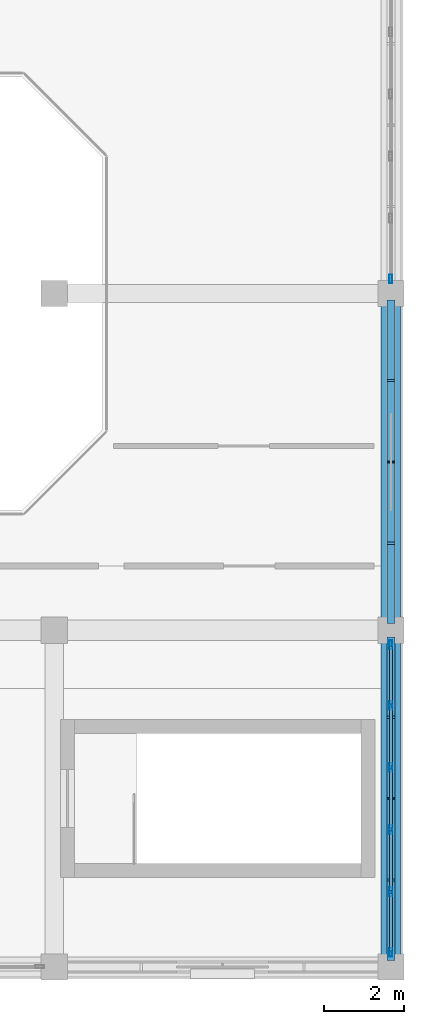
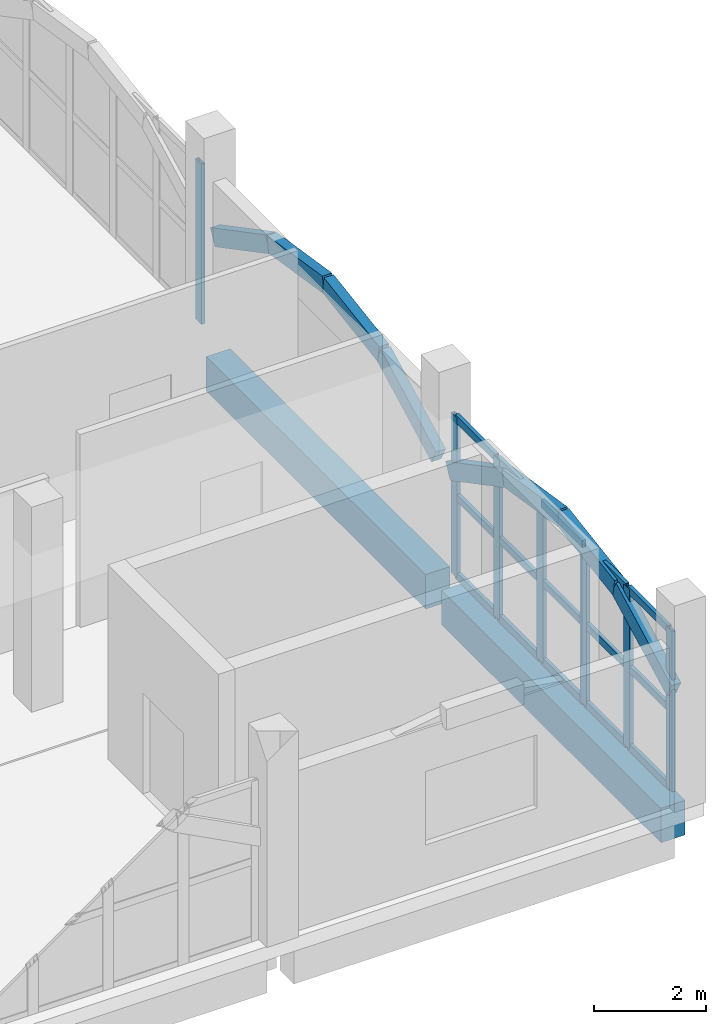
# One storey, part 9 of 16: 30 members, 2 beams, 2 elements without a shape of their own.
"""IFC4 building model written with IfcOpenShell, lengths in metres."""

from ifc_helpers import new_model, si_unit, direction, frame, origin, origin_2d, place, context, subcontext, project, spatial, rectangle, hollow_rectangle, extrude, material, layer, layer_set, material_profile, profile_set, type_object, element, aggregate, save


model = new_model("IFC4")

# Units and contexts
model_context = context("Model", 3, precision=1e-05, world=origin(), true_north=direction((0.0, 1.0)))
body_context = subcontext(model_context, "Body", "Model", "MODEL_VIEW")
ifc_project = project(units=[si_unit("LENGTHUNIT", "METRE"), si_unit("AREAUNIT", "SQUARE_METRE"), si_unit("VOLUMEUNIT", "CUBIC_METRE"), si_unit("PLANEANGLEUNIT", "RADIAN"), si_unit("MASSUNIT", "GRAM", prefix="KILO")], contexts=[model_context])

# Site, building, storey
site_placement = place(None, origin())
site = spatial("IfcSite", under=ifc_project, at=site_placement, CompositionType="ELEMENT")
building_placement = place(site_placement, origin())
building = spatial("IfcBuilding", under=site, at=building_placement, Name="Xazarin Passage Department Store", CompositionType="ELEMENT")
storey_placement = place(building_placement, frame((0.0, 0.0, 32.39990234375)))
storey = spatial("IfcBuildingStorey", under=building, at=storey_placement, Name="L07", CompositionType="ELEMENT", Elevation=32.39990234375)

# Curtain wall, members
ifc_material_1 = material(Name="Bronze anodised aluminium", Category="aluminium")
ifc_layer = layer(ifc_material_1, 0.199951171875)
ifc_layer_set = layer_set([ifc_layer], Name="Bronze anodised aluminium")
curtain_wall_type = type_object("IfcCurtainWallType", Name="ARC-CW-VIT2", PredefinedType="NOTDEFINED", material=ifc_layer_set)
curtain_wall_1_placement = place(storey_placement, origin())
curtain_wall_1 = element("IfcCurtainWall", 1, at=curtain_wall_1_placement, inside=storey, type_object=curtain_wall_type, Name="L07 V1 Curtain Wall 097", PredefinedType="NOTDEFINED")
ifc_material_profile_1 = material_profile(ifc_material_1, hollow_rectangle(XDim=0.074951171875, YDim=0.219970703125, WallThickness=0.0048828125, at=origin_2d()), Name="ALU 75x220")
ifc_profile_set_1 = profile_set([ifc_material_profile_1], Name="Bronze anodised aluminium")
member_type_1 = type_object("IfcMemberType", Name="ARC-CWM-75x220", PredefinedType="MULLION", material=ifc_profile_set_1)
member_1_placement = place(storey_placement, frame((33.60009765625, 76.762451171875, 0.0), z_axis=(0.0, 0.0, 1.0), x_axis=(-1.0, 0.0, 0.0)))
member_1 = element("IfcMember", 2, at=member_1_placement, type_object=member_type_1, Name="CW2 mullion 1", PredefinedType="MULLION", context=body_context, shape_type="SweptSolid", body=[
    extrude(hollow_rectangle(XDim=0.074951171875, YDim=0.219970703125, WallThickness=0.0048828125, at=origin_2d()), origin(), (0.0, 0.0, 1.0), 3.489990234375),
])
member_2_placement = place(storey_placement, frame((33.60009765625, 78.27490234375, 0.0), z_axis=(0.0, 0.0, 1.0), x_axis=(-1.0, 0.0, 0.0)))
member_2 = element("IfcMember", 3, at=member_2_placement, type_object=member_type_1, Name="CW2 mullion 2", PredefinedType="MULLION", context=body_context, shape_type="SweptSolid", body=[
    extrude(hollow_rectangle(XDim=0.074951171875, YDim=0.219970703125, WallThickness=0.0048828125, at=origin_2d()), origin(), (0.0, 0.0, 1.0), 3.489990234375),
])
member_3_placement = place(storey_placement, frame((33.60009765625, 79.824951171875, 0.0), z_axis=(0.0, 0.0, 1.0), x_axis=(-1.0, 0.0, 0.0)))
member_3 = element("IfcMember", 4, at=member_3_placement, type_object=member_type_1, Name="CW2 mullion 3", PredefinedType="MULLION", context=body_context, shape_type="SweptSolid", body=[
    extrude(hollow_rectangle(XDim=0.074951171875, YDim=0.219970703125, WallThickness=0.0048828125, at=origin_2d()), origin(), (0.0, 0.0, 1.0), 3.489990234375),
])
member_4_placement = place(storey_placement, frame((33.60009765625, 81.375, 0.0), z_axis=(0.0, 0.0, 1.0), x_axis=(-1.0, 0.0, 0.0)))
member_4 = element("IfcMember", 5, at=member_4_placement, type_object=member_type_1, Name="CW2 mullion 4", PredefinedType="MULLION", context=body_context, shape_type="SweptSolid", body=[
    extrude(hollow_rectangle(XDim=0.074951171875, YDim=0.219970703125, WallThickness=0.0048828125, at=origin_2d()), origin(), (0.0, 0.0, 1.0), 3.489990234375),
])
member_5_placement = place(storey_placement, frame((33.60009765625, 82.925048828125, 0.0), z_axis=(0.0, 0.0, 1.0), x_axis=(-1.0, 0.0, 0.0)))
member_5 = element("IfcMember", 6, at=member_5_placement, type_object=member_type_1, Name="CW2 mullion 5", PredefinedType="MULLION", context=body_context, shape_type="SweptSolid", body=[
    extrude(hollow_rectangle(XDim=0.074951171875, YDim=0.219970703125, WallThickness=0.0048828125, at=origin_2d()), origin(), (0.0, 0.0, 1.0), 3.489990234375),
])
member_6_placement = place(storey_placement, frame((33.60009765625, 84.4375, 0.0), z_axis=(0.0, 0.0, 1.0), x_axis=(-1.0, 0.0, 0.0)))
member_6 = element("IfcMember", 7, at=member_6_placement, type_object=member_type_1, Name="CW2 mullion 6", PredefinedType="MULLION", context=body_context, shape_type="SweptSolid", body=[
    extrude(hollow_rectangle(XDim=0.074951171875, YDim=0.219970703125, WallThickness=0.0048828125, at=origin_2d()), origin(), (0.0, 0.0, 1.0), 3.489990234375),
])

# Curtain wall, member
curtain_wall_2_placement = place(storey_placement, origin())
curtain_wall_2 = element("IfcCurtainWall", 8, at=curtain_wall_2_placement, inside=storey, type_object=curtain_wall_type, Name="L07 V1 Curtain Wall 098", PredefinedType="NOTDEFINED")
member_7_placement = place(storey_placement, frame((33.60009765625, 93.5625, 0.0), z_axis=(0.0, 0.0, 1.0), x_axis=(-1.0, 0.0, 0.0)))
member_7 = element("IfcMember", 9, at=member_7_placement, type_object=member_type_1, Name="CW2 mullion 1", PredefinedType="MULLION", context=body_context, shape_type="SweptSolid", body=[
    extrude(hollow_rectangle(XDim=0.074951171875, YDim=0.219970703125, WallThickness=0.0048828125, at=origin_2d()), origin(), (0.0, 0.0, 1.0), 3.489990234375),
])
aggregate(curtain_wall_2, [member_7])

# Member
ifc_material_profile_2 = material_profile(ifc_material_1, hollow_rectangle(XDim=0.074951171875, YDim=0.159912109375, WallThickness=0.00439453125, at=origin_2d()), Name="ALU 75x160")
ifc_profile_set_2 = profile_set([ifc_material_profile_2], Name="Bronze anodised aluminium")
member_type_2 = type_object("IfcMemberType", Name="ARC-CWT-75x160", PredefinedType="USERDEFINED", material=ifc_profile_set_2)
member_8_placement = place(storey_placement, frame((33.60009765625, 76.800048828125, 0.03759765625), z_axis=(0.0, 1.0, 0.0), x_axis=(-1.0, 0.0, 0.0)))
member_8 = element("IfcMember", 10, at=member_8_placement, type_object=member_type_2, Name="CW2 transom 1.1", ObjectType="TRANSOM", PredefinedType="USERDEFINED", context=body_context, shape_type="SweptSolid", body=[
    extrude(hollow_rectangle(XDim=0.074951171875, YDim=0.159912109375, WallThickness=0.00439453125, at=origin_2d()), origin(), (0.0, 0.0, 1.0), 1.4375),
])

member_9_placement = place(storey_placement, frame((33.60009765625, 76.800048828125, 1.7451171875), z_axis=(0.0, 1.0, 0.0), x_axis=(-1.0, 0.0, 0.0)))
member_9 = element("IfcMember", 11, at=member_9_placement, type_object=member_type_2, Name="CW2 transom 1.2", ObjectType="TRANSOM", PredefinedType="USERDEFINED", context=body_context, shape_type="SweptSolid", body=[
    extrude(hollow_rectangle(XDim=0.074951171875, YDim=0.159912109375, WallThickness=0.00439453125, at=origin_2d()), origin(), (0.0, 0.0, 1.0), 1.4375),
])

member_10_placement = place(storey_placement, frame((33.60009765625, 76.800048828125, 3.45263671875), z_axis=(0.0, 1.0, 0.0), x_axis=(-1.0, 0.0, 0.0)))
member_10 = element("IfcMember", 12, at=member_10_placement, type_object=member_type_2, Name="CW2 transom 1.3", ObjectType="TRANSOM", PredefinedType="USERDEFINED", context=body_context, shape_type="SweptSolid", body=[
    extrude(hollow_rectangle(XDim=0.074951171875, YDim=0.159912109375, WallThickness=0.00439453125, at=origin_2d()), origin(), (0.0, 0.0, 1.0), 1.4375),
])

member_11_placement = place(storey_placement, frame((33.60009765625, 78.3125, 0.03759765625), z_axis=(0.0, 1.0, 0.0), x_axis=(-1.0, 0.0, 0.0)))
member_11 = element("IfcMember", 13, at=member_11_placement, type_object=member_type_2, Name="CW2 transom 2.1", ObjectType="TRANSOM", PredefinedType="USERDEFINED", context=body_context, shape_type="SweptSolid", body=[
    extrude(hollow_rectangle(XDim=0.074951171875, YDim=0.159912109375, WallThickness=0.00439453125, at=origin_2d()), origin(), (0.0, 0.0, 1.0), 1.47509765625),
])

member_12_placement = place(storey_placement, frame((33.60009765625, 78.3125, 1.7451171875), z_axis=(0.0, 1.0, 0.0), x_axis=(-1.0, 0.0, 0.0)))
member_12 = element("IfcMember", 14, at=member_12_placement, type_object=member_type_2, Name="CW2 transom 2.2", ObjectType="TRANSOM", PredefinedType="USERDEFINED", context=body_context, shape_type="SweptSolid", body=[
    extrude(hollow_rectangle(XDim=0.074951171875, YDim=0.159912109375, WallThickness=0.00439453125, at=origin_2d()), origin(), (0.0, 0.0, 1.0), 1.47509765625),
])

member_13_placement = place(storey_placement, frame((33.60009765625, 78.3125, 3.45263671875), z_axis=(0.0, 1.0, 0.0), x_axis=(-1.0, 0.0, 0.0)))
member_13 = element("IfcMember", 15, at=member_13_placement, type_object=member_type_2, Name="CW2 transom 2.3", ObjectType="TRANSOM", PredefinedType="USERDEFINED", context=body_context, shape_type="SweptSolid", body=[
    extrude(hollow_rectangle(XDim=0.074951171875, YDim=0.159912109375, WallThickness=0.00439453125, at=origin_2d()), origin(), (0.0, 0.0, 1.0), 1.47509765625),
])

member_14_placement = place(storey_placement, frame((33.60009765625, 79.862548828125, 0.03759765625), z_axis=(0.0, 1.0, 0.0), x_axis=(-1.0, 0.0, 0.0)))
member_14 = element("IfcMember", 16, at=member_14_placement, type_object=member_type_2, Name="CW2 transom 3.1", ObjectType="TRANSOM", PredefinedType="USERDEFINED", context=body_context, shape_type="SweptSolid", body=[
    extrude(hollow_rectangle(XDim=0.074951171875, YDim=0.159912109375, WallThickness=0.00439453125, at=origin_2d()), origin(), (0.0, 0.0, 1.0), 1.474853515625),
])

member_15_placement = place(storey_placement, frame((33.60009765625, 79.862548828125, 1.7451171875), z_axis=(0.0, 1.0, 0.0), x_axis=(-1.0, 0.0, 0.0)))
member_15 = element("IfcMember", 17, at=member_15_placement, type_object=member_type_2, Name="CW2 transom 3.2", ObjectType="TRANSOM", PredefinedType="USERDEFINED", context=body_context, shape_type="SweptSolid", body=[
    extrude(hollow_rectangle(XDim=0.074951171875, YDim=0.159912109375, WallThickness=0.00439453125, at=origin_2d()), origin(), (0.0, 0.0, 1.0), 1.474853515625),
])

member_16_placement = place(storey_placement, frame((33.60009765625, 79.862548828125, 3.45263671875), z_axis=(0.0, 1.0, 0.0), x_axis=(-1.0, 0.0, 0.0)))
member_16 = element("IfcMember", 18, at=member_16_placement, type_object=member_type_2, Name="CW2 transom 3.3", ObjectType="TRANSOM", PredefinedType="USERDEFINED", context=body_context, shape_type="SweptSolid", body=[
    extrude(hollow_rectangle(XDim=0.074951171875, YDim=0.159912109375, WallThickness=0.00439453125, at=origin_2d()), origin(), (0.0, 0.0, 1.0), 1.474853515625),
])

member_17_placement = place(storey_placement, frame((33.60009765625, 81.41259765625, 0.03759765625), z_axis=(0.0, 1.0, 0.0), x_axis=(-1.0, 0.0, 0.0)))
member_17 = element("IfcMember", 19, at=member_17_placement, type_object=member_type_2, Name="CW2 transom 4.1", ObjectType="TRANSOM", PredefinedType="USERDEFINED", context=body_context, shape_type="SweptSolid", body=[
    extrude(hollow_rectangle(XDim=0.074951171875, YDim=0.159912109375, WallThickness=0.00439453125, at=origin_2d()), origin(), (0.0, 0.0, 1.0), 1.474853515625),
])

member_18_placement = place(storey_placement, frame((33.60009765625, 81.41259765625, 1.7451171875), z_axis=(0.0, 1.0, 0.0), x_axis=(-1.0, 0.0, 0.0)))
member_18 = element("IfcMember", 20, at=member_18_placement, type_object=member_type_2, Name="CW2 transom 4.2", ObjectType="TRANSOM", PredefinedType="USERDEFINED", context=body_context, shape_type="SweptSolid", body=[
    extrude(hollow_rectangle(XDim=0.074951171875, YDim=0.159912109375, WallThickness=0.00439453125, at=origin_2d()), origin(), (0.0, 0.0, 1.0), 1.474853515625),
])

member_19_placement = place(storey_placement, frame((33.60009765625, 81.41259765625, 3.45263671875), z_axis=(0.0, 1.0, 0.0), x_axis=(-1.0, 0.0, 0.0)))
member_19 = element("IfcMember", 21, at=member_19_placement, type_object=member_type_2, Name="CW2 transom 4.3", ObjectType="TRANSOM", PredefinedType="USERDEFINED", context=body_context, shape_type="SweptSolid", body=[
    extrude(hollow_rectangle(XDim=0.074951171875, YDim=0.159912109375, WallThickness=0.00439453125, at=origin_2d()), origin(), (0.0, 0.0, 1.0), 1.474853515625),
])

member_20_placement = place(storey_placement, frame((33.60009765625, 82.96240234375, 0.03759765625), z_axis=(0.0, 1.0, 0.0), x_axis=(-1.0, 0.0, 0.0)))
member_20 = element("IfcMember", 22, at=member_20_placement, type_object=member_type_2, Name="CW2 transom 5.1", ObjectType="TRANSOM", PredefinedType="USERDEFINED", context=body_context, shape_type="SweptSolid", body=[
    extrude(hollow_rectangle(XDim=0.074951171875, YDim=0.159912109375, WallThickness=0.00439453125, at=origin_2d()), origin(), (0.0, 0.0, 1.0), 1.4375),
])

member_21_placement = place(storey_placement, frame((33.60009765625, 82.96240234375, 1.7451171875), z_axis=(0.0, 1.0, 0.0), x_axis=(-1.0, 0.0, 0.0)))
member_21 = element("IfcMember", 23, at=member_21_placement, type_object=member_type_2, Name="CW2 transom 5.2", ObjectType="TRANSOM", PredefinedType="USERDEFINED", context=body_context, shape_type="SweptSolid", body=[
    extrude(hollow_rectangle(XDim=0.074951171875, YDim=0.159912109375, WallThickness=0.00439453125, at=origin_2d()), origin(), (0.0, 0.0, 1.0), 1.4375),
])

member_22_placement = place(storey_placement, frame((33.60009765625, 82.96240234375, 3.45263671875), z_axis=(0.0, 1.0, 0.0), x_axis=(-1.0, 0.0, 0.0)))
member_22 = element("IfcMember", 24, at=member_22_placement, type_object=member_type_2, Name="CW2 transom 5.3", ObjectType="TRANSOM", PredefinedType="USERDEFINED", context=body_context, shape_type="SweptSolid", body=[
    extrude(hollow_rectangle(XDim=0.074951171875, YDim=0.159912109375, WallThickness=0.00439453125, at=origin_2d()), origin(), (0.0, 0.0, 1.0), 1.4375),
])

aggregate(curtain_wall_1, [member_1, member_2, member_3, member_4, member_5, member_6, member_8, member_9, member_10, member_11, member_12, member_13, member_14, member_15, member_16, member_17, member_18, member_19, member_20, member_21, member_22])

# Beams
ifc_material_2 = material(Name="Concrete C35/45", Category="concrete")
ifc_material_profile_3 = material_profile(ifc_material_2, rectangle(XDim=0.5, YDim=0.75, at=origin_2d()), Name="RC 500x750")
ifc_profile_set_3 = profile_set([ifc_material_profile_3], Name="Concrete C35/45")
beam_type = type_object("IfcBeamType", Name="STR-BM-SP500x750", PredefinedType="SPANDREL", material=ifc_profile_set_3)
beam_1_placement = place(storey_placement, frame((33.60009765625, 76.679931640625, -0.6748046875), z_axis=(0.0, 1.0, 0.0), x_axis=(-1.0, 0.0, 0.0)))
element("IfcBeam", 25, at=beam_1_placement, inside=storey, type_object=beam_type, Name="L07 Grid Beam 5/L-M", PredefinedType="SPANDREL", context=body_context, shape_type="SweptSolid", body=[
    extrude(rectangle(XDim=0.5, YDim=0.75, at=origin_2d()), origin(), (0.0, 0.0, 1.0), 7.840087890625),
])
beam_2_placement = place(storey_placement, frame((33.60009765625, 85.080078125, -0.6748046875), z_axis=(0.0, 1.0, 0.0), x_axis=(-1.0, 0.0, 0.0)))
element("IfcBeam", 26, at=beam_2_placement, inside=storey, type_object=beam_type, Name="L07 Grid Beam 5/M-N", PredefinedType="SPANDREL", context=body_context, shape_type="SweptSolid", body=[
    extrude(rectangle(XDim=0.5, YDim=0.75, at=origin_2d()), origin(), (0.0, 0.0, 1.0), 7.83984375),
])

# Members
ifc_material_3 = material(Name="Concrete C40/50", Category="concrete")
ifc_material_profile_4 = material_profile(ifc_material_3, rectangle(XDim=0.199951171875, YDim=0.360107421875, at=origin_2d()), Name="RC 200x360")
ifc_profile_set_4 = profile_set([ifc_material_profile_4], Name="Concrete C40/50")
member_type_3 = type_object("IfcMemberType", Name="STR-MEM-ARC360", PredefinedType="CHORD", material=ifc_profile_set_4)
member_23_placement = place(storey_placement, frame((33.60009765625, 76.64990234375, 2.22998046875), z_axis=(0.0, 0.88473311603, 0.466097965454), x_axis=(-1.0, 0.0, 0.0)))
element("IfcMember", 27, at=member_23_placement, inside=storey, type_object=member_type_3, Name="L07 V1 Upper Setback Pierced Arch 045.1", PredefinedType="CHORD", context=body_context, shape_type="SweptSolid", body=[
    extrude(rectangle(XDim=0.199951171875, YDim=0.360107421875, at=origin_2d()), origin(), (0.0, 0.0, 1.0), 2.232421875),
])
member_24_placement = place(storey_placement, frame((33.60009765625, 78.625, 3.2705078125), z_axis=(0.0, 0.987938581312, 0.154846244883), x_axis=(-1.0, 0.0, 0.0)))
element("IfcMember", 28, at=member_24_placement, inside=storey, type_object=member_type_3, Name="L07 V1 Upper Setback Pierced Arch 045.2", PredefinedType="CHORD", context=body_context, shape_type="SweptSolid", body=[
    extrude(rectangle(XDim=0.199951171875, YDim=0.360107421875, at=origin_2d()), origin(), (0.0, 0.0, 1.0), 1.999267578125),
])
member_25_placement = place(storey_placement, frame((33.60009765625, 80.60009765625, 3.580078125), z_axis=(0.0, 0.987935652704, -0.154864928623), x_axis=(-1.0, 0.0, 0.0)))
element("IfcMember", 29, at=member_25_placement, inside=storey, type_object=member_type_3, Name="L07 V1 Upper Setback Pierced Arch 045.3", PredefinedType="CHORD", context=body_context, shape_type="SweptSolid", body=[
    extrude(rectangle(XDim=0.199951171875, YDim=0.360107421875, at=origin_2d()), origin(), (0.0, 0.0, 1.0), 1.9990234375),
])
member_26_placement = place(storey_placement, frame((33.60009765625, 82.574951171875, 3.2705078125), z_axis=(0.0, 0.88473311603, -0.466097965454), x_axis=(-1.0, 0.0, 0.0)))
element("IfcMember", 30, at=member_26_placement, inside=storey, type_object=member_type_3, Name="L07 V1 Upper Setback Pierced Arch 045.4", PredefinedType="CHORD", context=body_context, shape_type="SweptSolid", body=[
    extrude(rectangle(XDim=0.199951171875, YDim=0.360107421875, at=origin_2d()), origin(), (0.0, 0.0, 1.0), 2.232421875),
])
member_27_placement = place(storey_placement, frame((33.60009765625, 85.050048828125, 2.22998046875), z_axis=(0.0, 0.884709354127, 0.466143066793), x_axis=(-1.0, 0.0, 0.0)))
element("IfcMember", 31, at=member_27_placement, inside=storey, type_object=member_type_3, Name="L07 V1 Upper Setback Pierced Arch 046.1", PredefinedType="CHORD", context=body_context, shape_type="SweptSolid", body=[
    extrude(rectangle(XDim=0.199951171875, YDim=0.360107421875, at=origin_2d()), origin(), (0.0, 0.0, 1.0), 2.232177734375),
])
for number, where, z_axis, x_axis, name in (
    (32, (33.60009765625, 87.02490234375, 3.2705078125), (0.0, 0.987938581312, 0.154846244883), (-1.0, 0.0, 0.0), "L07 V1 Upper Setback Pierced Arch 046.2"),
    (33, (33.60009765625, 89.0, 3.580078125), (0.0, 0.987938581312, -0.154846244883), (-1.0, 0.0, 0.0), "L07 V1 Upper Setback Pierced Arch 046.3"),
):
    element("IfcMember", number, at=place(storey_placement, frame(where, z_axis=z_axis, x_axis=x_axis)), inside=storey, type_object=member_type_3, Name=name, PredefinedType="CHORD", context=body_context, shape_type="SweptSolid", body=[
        extrude(rectangle(XDim=0.199951171875, YDim=0.360107421875, at=origin_2d()), origin(), (0.0, 0.0, 1.0), 1.999267578125),
    ])
member_28_placement = place(storey_placement, frame((33.60009765625, 90.97509765625, 3.2705078125), z_axis=(0.0, 0.884709354127, -0.466143066793), x_axis=(-1.0, 0.0, 0.0)))
element("IfcMember", 34, at=member_28_placement, inside=storey, type_object=member_type_3, Name="L07 V1 Upper Setback Pierced Arch 046.4", PredefinedType="CHORD", context=body_context, shape_type="SweptSolid", body=[
    extrude(rectangle(XDim=0.199951171875, YDim=0.360107421875, at=origin_2d()), origin(), (0.0, 0.0, 1.0), 2.232177734375),
])

save(model, "model.ifc")
